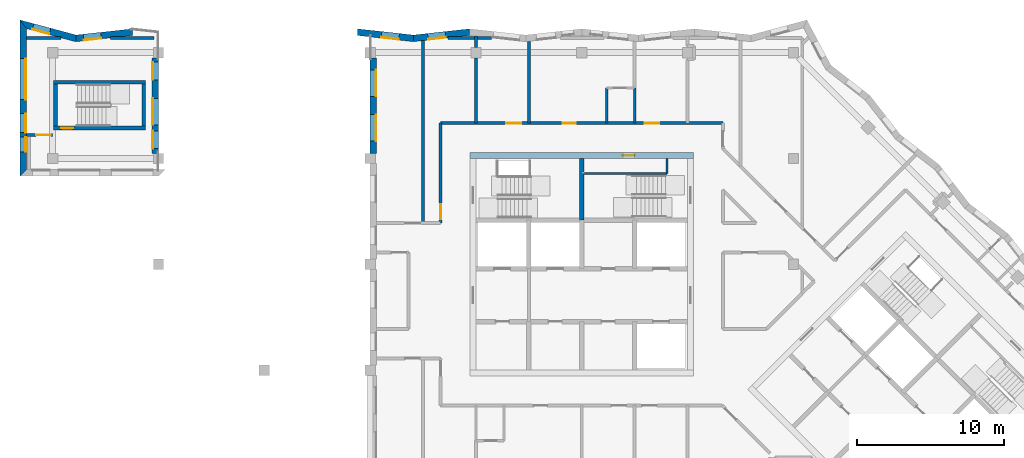
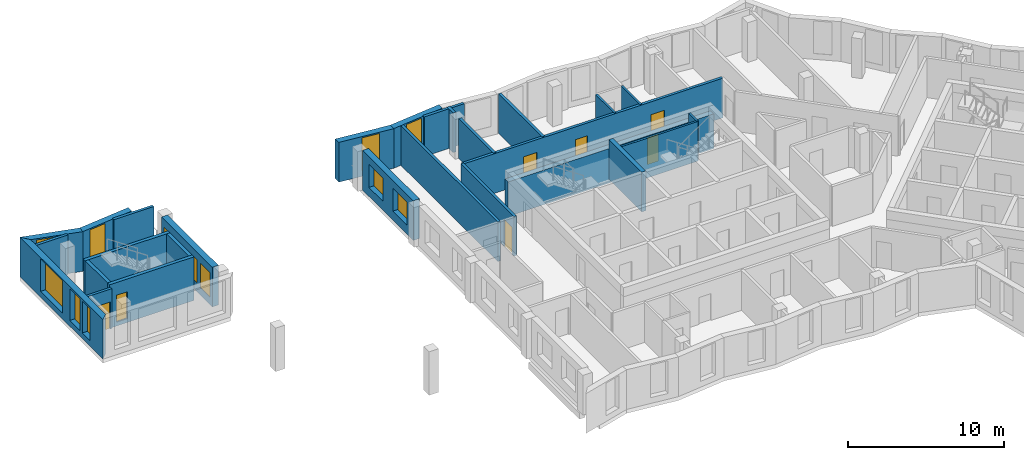
# One storey, part 5 of 12: 27 walls, 12 windows, 7 doors, 19 openings.
"""IFC4 building model written with IfcOpenShell, lengths in metres."""

from ifc_helpers import new_model, si_unit, direction, frame, frame_2d, origin, place, context, subcontext, project, spatial, polyline, rectangle, outline, extrude, material, layer, layer_set, type_object, element, fill, save


model = new_model("IFC4")

# Units and contexts
model_context = context("Model", 3, precision=1e-05, world=origin(), true_north=direction((0.0, 1.0)))
body_context = subcontext(model_context, "Body", "Model", "MODEL_VIEW")
ifc_project = project(units=[si_unit("LENGTHUNIT", "METRE"), si_unit("AREAUNIT", "SQUARE_METRE"), si_unit("VOLUMEUNIT", "CUBIC_METRE"), si_unit("PLANEANGLEUNIT", "RADIAN"), si_unit("MASSUNIT", "GRAM", prefix="KILO")], contexts=[model_context])

# Site, building, storey
site_placement = place(None, origin())
site = spatial("IfcSite", under=ifc_project, at=site_placement, CompositionType="ELEMENT")
building_placement = place(site_placement, origin())
building = spatial("IfcBuilding", under=site, at=building_placement, Name="Windrow Commons", CompositionType="ELEMENT")
storey_placement = place(building_placement, frame((0.0, 0.0, 257.4)))
storey = spatial("IfcBuildingStorey", under=building, at=storey_placement, Name="L70", CompositionType="ELEMENT", Elevation=257.4)

# Wall, opening, window
ifc_material_1 = material(Name="Brick masonry, red clay brick", Category="masonry")
ifc_layer_1 = layer(ifc_material_1, 0.45)
ifc_layer_set_1 = layer_set([ifc_layer_1], Name="Brick facade wall 450")
wall_type_1 = type_object("IfcWallType", Name="Brick facade wall 450", PredefinedType="SOLIDWALL", material=ifc_layer_set_1)
wall_1_placement = place(storey_placement, frame((57.1739, 73.3946, 0.0), z_axis=(0.0, 0.0, 1.0), x_axis=(-0.9939954262, -0.1094216281, 0.0)))
wall_1 = element("IfcWall", 1, at=wall_1_placement, inside=storey, type_object=wall_type_1, Name="Brick facade wall L70 23", PredefinedType="SOLIDWALL", context=body_context, shape_type="SweptSolid", body=[
    extrude(outline(polyline([(-0.0248, -0.225), (3.8227, -0.225), (3.8722, 0.225), (0.0248, 0.225), (-0.0248, -0.225)])), origin(), (0.0, 0.0, 1.0), 3.1),
])
opening_1_placement = place(wall_1_placement, frame((1.6589, 0.0, 0.45)))
opening_1 = element("IfcOpeningElement", 2, at=opening_1_placement, cuts=wall_1, Name="Opening W7F", PredefinedType="OPENING", context=body_context, shape_type="SweptSolid", body=[
    extrude(rectangle(XDim=1.2, YDim=2.55, at=frame_2d((0.6, 1.275))), frame((0.0, 0.235, 0.0), z_axis=(0.0, -1.0, 0.0), x_axis=(1.0, 0.0, 0.0)), (0.0, 0.0, 1.0), 0.47),
])
ifc_material_2 = material(Name="Clear float glass in anodised aluminium frame", Category="aluminium")
window_type_1 = type_object("IfcWindowType", Name="Window W7 notch 1200x2550", PartitioningType="SINGLE_PANEL", PredefinedType="WINDOW", material=ifc_material_2)
window_1_placement = place(opening_1_placement, origin())
window_1 = element("IfcWindow", 3, at=window_1_placement, inside=storey, type_object=window_type_1, Name="Window L70 23.1", OverallHeight=2.55, OverallWidth=1.2, PartitioningType="SINGLE_PANEL", PredefinedType="WINDOW", context=body_context, shape_type="SweptSolid", body=[
    extrude(rectangle(XDim=1.2, YDim=2.55, at=frame_2d((0.6, 1.275))), frame((0.0, 0.205, 0.0), z_axis=(0.0, -1.0, 0.0), x_axis=(1.0, 0.0, 0.0)), (0.0, 0.0, 1.0), 0.06),
])
fill(opening_1, window_1)

wall_2_placement = place(storey_placement, frame((53.3495, 72.9736, 0.0), z_axis=(0.0, 0.0, 1.0), x_axis=(-0.9939954262, 0.1094216281, 0.0)))
wall_2 = element("IfcWall", 4, at=wall_2_placement, inside=storey, type_object=wall_type_1, Name="Brick facade wall L70 24", PredefinedType="SOLIDWALL", context=body_context, shape_type="SweptSolid", body=[
    extrude(outline(polyline([(0.0248, -0.225), (3.8722, -0.225), (3.8227, 0.225), (-0.0248, 0.225), (0.0248, -0.225)])), origin(), (0.0, 0.0, 1.0), 3.1),
])
opening_2_placement = place(wall_2_placement, frame((0.9837, 0.0, 0.45)))
opening_2 = element("IfcOpeningElement", 5, at=opening_2_placement, cuts=wall_2, Name="Opening W7F", PredefinedType="OPENING", context=body_context, shape_type="SweptSolid", body=[
    extrude(rectangle(XDim=1.2, YDim=2.55, at=frame_2d((0.6, 1.275))), frame((0.0, 0.235, 0.0), z_axis=(0.0, -1.0, 0.0), x_axis=(1.0, 0.0, 0.0)), (0.0, 0.0, 1.0), 0.47),
])
window_2_placement = place(opening_2_placement, origin())
window_2 = element("IfcWindow", 6, at=window_2_placement, inside=storey, type_object=window_type_1, Name="Window L70 24.1", OverallHeight=2.55, OverallWidth=1.2, PartitioningType="SINGLE_PANEL", PredefinedType="WINDOW", context=body_context, shape_type="SweptSolid", body=[
    extrude(rectangle(XDim=1.2, YDim=2.55, at=frame_2d((0.6, 1.275))), frame((0.0, 0.205, 0.0), z_axis=(0.0, -1.0, 0.0), x_axis=(1.0, 0.0, 0.0)), (0.0, 0.0, 1.0), 0.06),
])
fill(opening_2, window_2)

wall_3_placement = place(storey_placement, frame((34.2277, 73.3946, 0.0), z_axis=(0.0, 0.0, 1.0), x_axis=(-0.9939952411, -0.1094233099, 0.0)))
wall_3 = element("IfcWall", 7, at=wall_3_placement, inside=storey, type_object=wall_type_1, Name="Brick facade wall L70 29", PredefinedType="SOLIDWALL", context=body_context, shape_type="SweptSolid", body=[
    extrude(outline(polyline([(-0.0248, -0.225), (3.8227, -0.225), (3.907, 0.225), (0.0248, 0.225), (-0.0248, -0.225)])), origin(), (0.0, 0.0, 1.0), 3.1),
])
opening_3_placement = place(wall_3_placement, frame((2.1518, 0.0, 0.45)))
opening_3 = element("IfcOpeningElement", 8, at=opening_3_placement, cuts=wall_3, Name="Opening W7F", PredefinedType="OPENING", context=body_context, shape_type="SweptSolid", body=[
    extrude(rectangle(XDim=1.2, YDim=2.55, at=frame_2d((0.6, 1.275))), frame((0.0, 0.235, 0.0), z_axis=(0.0, -1.0, 0.0), x_axis=(1.0, 0.0, 0.0)), (0.0, 0.0, 1.0), 0.47),
])
window_3_placement = place(opening_3_placement, origin())
window_3 = element("IfcWindow", 9, at=window_3_placement, inside=storey, type_object=window_type_1, Name="Window L70 29.2", OverallHeight=2.55, OverallWidth=1.2, PartitioningType="SINGLE_PANEL", PredefinedType="WINDOW", context=body_context, shape_type="SweptSolid", body=[
    extrude(rectangle(XDim=1.2, YDim=2.55, at=frame_2d((0.6, 1.275))), frame((0.0, 0.205, 0.0), z_axis=(0.0, -1.0, 0.0), x_axis=(1.0, 0.0, 0.0)), (0.0, 0.0, 1.0), 0.06),
])
fill(opening_3, window_3)

wall_4_placement = place(storey_placement, frame((30.3861, 72.9717, 0.0), z_axis=(0.0, 0.0, 1.0), x_axis=(-0.9661561055, 0.257958097, 0.0)))
wall_4 = element("IfcWall", 10, at=wall_4_placement, inside=storey, type_object=wall_type_1, Name="Brick facade wall L70 30", PredefinedType="SOLIDWALL", context=body_context, shape_type="SweptSolid", body=[
    extrude(outline(polyline([(0.0422, -0.225), (4.0005, -0.225), (3.4146, 0.225), (-0.0422, 0.225), (0.0422, -0.225)])), origin(), (0.0, 0.0, 1.0), 3.1),
])
opening_4_placement = place(wall_4_placement, frame((1.8281, 0.0, 0.45)))
opening_4 = element("IfcOpeningElement", 11, at=opening_4_placement, cuts=wall_4, Name="Opening W7F", PredefinedType="OPENING", context=body_context, shape_type="SweptSolid", body=[
    extrude(rectangle(XDim=1.2, YDim=2.55, at=frame_2d((0.6, 1.275))), frame((0.0, 0.235, 0.0), z_axis=(0.0, -1.0, 0.0), x_axis=(1.0, 0.0, 0.0)), (0.0, 0.0, 1.0), 0.47),
])
window_4_placement = place(opening_4_placement, origin())
window_4 = element("IfcWindow", 12, at=window_4_placement, inside=storey, type_object=window_type_1, Name="Window L70 30.2", OverallHeight=2.55, OverallWidth=1.2, PartitioningType="SINGLE_PANEL", PredefinedType="WINDOW", context=body_context, shape_type="SweptSolid", body=[
    extrude(rectangle(XDim=1.2, YDim=2.55, at=frame_2d((0.6, 1.275))), frame((0.0, 0.205, 0.0), z_axis=(0.0, -1.0, 0.0), x_axis=(1.0, 0.0, 0.0)), (0.0, 0.0, 1.0), 0.06),
])
fill(opening_4, window_4)

# Wall, openings, windows
wall_5_placement = place(storey_placement, frame((26.804, 73.9281, 0.0), z_axis=(0.0, 0.0, 1.0), x_axis=(0.0, -1.0, 0.0)))
wall_5 = element("IfcWall", 13, at=wall_5_placement, inside=storey, type_object=wall_type_1, Name="Brick facade wall L70 31", PredefinedType="SOLIDWALL", context=body_context, shape_type="SweptSolid", body=[
    extrude(outline(polyline([(-0.2929, -0.225), (10.3281, -0.225), (9.8781, 0.225), (0.2929, 0.225), (-0.2929, -0.225)])), origin(), (0.0, 0.0, 1.0), 3.1),
])
opening_5_placement = place(wall_5_placement, frame((2.3281, 0.0, 0.45)))
opening_5 = element("IfcOpeningElement", 14, at=opening_5_placement, cuts=wall_5, Name="Opening W1V", PredefinedType="OPENING", context=body_context, shape_type="SweptSolid", body=[
    extrude(rectangle(XDim=2.8, YDim=2.55, at=frame_2d((1.4, 1.275))), frame((0.0, 0.235, 0.0), z_axis=(0.0, -1.0, 0.0), x_axis=(1.0, 0.0, 0.0)), (0.0, 0.0, 1.0), 0.47),
])
opening_6_placement = place(wall_5_placement, frame((6.0781, 0.0, 0.45)))
opening_6 = element("IfcOpeningElement", 15, at=opening_6_placement, cuts=wall_5, Name="Opening W1Q", PredefinedType="OPENING", context=body_context, shape_type="SweptSolid", body=[
    extrude(rectangle(XDim=1.3, YDim=2.5, at=frame_2d((0.65, 1.25))), frame((0.0, 0.235, 0.0), z_axis=(0.0, -1.0, 0.0), x_axis=(1.0, 0.0, 0.0)), (0.0, 0.0, 1.0), 0.47),
])
opening_7_placement = place(wall_5_placement, frame((7.6781, 0.0, 0.45)))
opening_7 = element("IfcOpeningElement", 16, at=opening_7_placement, cuts=wall_5, Name="Opening W1S", PredefinedType="OPENING", context=body_context, shape_type="SweptSolid", body=[
    extrude(rectangle(XDim=1.0, YDim=2.5, at=frame_2d((0.5, 1.25))), frame((0.0, 0.235, 0.0), z_axis=(0.0, -1.0, 0.0), x_axis=(1.0, 0.0, 0.0)), (0.0, 0.0, 1.0), 0.47),
])
ifc_material_3 = material(Name="Clear float glass in anodised aluminium frame", Category="aluminium")
window_type_2 = type_object("IfcWindowType", Name="Window W1Q pair 1300x2500", PartitioningType="SINGLE_PANEL", PredefinedType="WINDOW", material=ifc_material_3)
window_5_placement = place(opening_6_placement, origin())
window_5 = element("IfcWindow", 17, at=window_5_placement, inside=storey, type_object=window_type_2, Name="Window L70 31.2A", OverallHeight=2.5, OverallWidth=1.3, PartitioningType="SINGLE_PANEL", PredefinedType="WINDOW", context=body_context, shape_type="SweptSolid", body=[
    extrude(rectangle(XDim=1.3, YDim=2.5, at=frame_2d((0.65, 1.25))), frame((0.0, 0.205, 0.0), z_axis=(0.0, -1.0, 0.0), x_axis=(1.0, 0.0, 0.0)), (0.0, 0.0, 1.0), 0.06),
])
fill(opening_6, window_5)
ifc_material_4 = material(Name="Clear float glass in anodised aluminium frame", Category="aluminium")
window_type_3 = type_object("IfcWindowType", Name="Window W1S slit 1000x2500", PartitioningType="SINGLE_PANEL", PredefinedType="WINDOW", material=ifc_material_4)
window_6_placement = place(opening_7_placement, origin())
window_6 = element("IfcWindow", 18, at=window_6_placement, inside=storey, type_object=window_type_3, Name="Window L70 31.2B", OverallHeight=2.5, OverallWidth=1.0, PartitioningType="SINGLE_PANEL", PredefinedType="WINDOW", context=body_context, shape_type="SweptSolid", body=[
    extrude(rectangle(XDim=1.0, YDim=2.5, at=frame_2d((0.5, 1.25))), frame((0.0, 0.205, 0.0), z_axis=(0.0, -1.0, 0.0), x_axis=(1.0, 0.0, 0.0)), (0.0, 0.0, 1.0), 0.06),
])
fill(opening_7, window_6)
ifc_material_5 = material(Name="Clear float glass in anodised aluminium frame", Category="aluminium")
window_type_4 = type_object("IfcWindowType", Name="Window W1V bedroom 2800x2550", PartitioningType="SINGLE_PANEL", PredefinedType="WINDOW", material=ifc_material_5)
window_7_placement = place(opening_5_placement, origin())
window_7 = element("IfcWindow", 19, at=window_7_placement, inside=storey, type_object=window_type_4, Name="Window L70 31.1", OverallHeight=2.55, OverallWidth=2.8, PartitioningType="SINGLE_PANEL", PredefinedType="WINDOW", context=body_context, shape_type="SweptSolid", body=[
    extrude(rectangle(XDim=2.8, YDim=2.55, at=frame_2d((1.4, 1.275))), frame((0.0, 0.205, 0.0), z_axis=(0.0, -1.0, 0.0), x_axis=(1.0, 0.0, 0.0)), (0.0, 0.0, 1.0), 0.06),
])
fill(opening_5, window_7)

wall_6_placement = place(storey_placement, frame((35.775, 65.15, 0.0), z_axis=(0.0, 0.0, 1.0), x_axis=(0.0, 1.0, 0.0)))
wall_6 = element("IfcWall", 20, at=wall_6_placement, inside=storey, type_object=wall_type_1, Name="Brick portal return L70 6", PredefinedType="SOLIDWALL", context=body_context, shape_type="SweptSolid", body=[
    extrude(rectangle(XDim=6.5, YDim=0.45, at=frame_2d((3.25, 0.0))), origin(), (0.0, 0.0, 1.0), 3.1),
])
opening_8_placement = place(wall_6_placement, frame((0.325, 0.0, 0.6)))
opening_8 = element("IfcOpeningElement", 21, at=opening_8_placement, cuts=wall_6, Name="Opening W7G", PredefinedType="OPENING", context=body_context, shape_type="SweptSolid", body=[
    extrude(rectangle(XDim=1.2, YDim=1.9, at=frame_2d((0.6, 0.95))), frame((0.0, 0.235, 0.0), z_axis=(0.0, -1.0, 0.0), x_axis=(1.0, 0.0, 0.0)), (0.0, 0.0, 1.0), 0.47),
])
opening_9_placement = place(wall_6_placement, frame((1.9375, 0.0, 0.7)))
opening_9 = element("IfcOpeningElement", 22, at=opening_9_placement, cuts=wall_6, Name="Opening W8", PredefinedType="OPENING", context=body_context, shape_type="SweptSolid", body=[
    extrude(rectangle(XDim=1.8, YDim=1.8, at=frame_2d((0.9, 0.9))), frame((0.0, 0.235, 0.0), z_axis=(0.0, -1.0, 0.0), x_axis=(1.0, 0.0, 0.0)), (0.0, 0.0, 1.0), 0.47),
])
opening_10_placement = place(wall_6_placement, frame((5.0, 0.0, 0.6)))
opening_10 = element("IfcOpeningElement", 23, at=opening_10_placement, cuts=wall_6, Name="Opening W7G", PredefinedType="OPENING", context=body_context, shape_type="SweptSolid", body=[
    extrude(rectangle(XDim=1.2, YDim=1.9, at=frame_2d((0.6, 0.95))), frame((0.0, 0.235, 0.0), z_axis=(0.0, -1.0, 0.0), x_axis=(1.0, 0.0, 0.0)), (0.0, 0.0, 1.0), 0.47),
])
ifc_material_6 = material(Name="Clear float glass in anodised aluminium frame", Category="aluminium")
window_type_5 = type_object("IfcWindowType", Name="Window W7 notch 1200x1900", PartitioningType="SINGLE_PANEL", PredefinedType="WINDOW", material=ifc_material_6)
window_8_placement = place(opening_8_placement, origin())
window_8 = element("IfcWindow", 24, at=window_8_placement, inside=storey, type_object=window_type_5, Name="Window L70 portal 6.1.1A", OverallHeight=1.9, OverallWidth=1.2, PartitioningType="SINGLE_PANEL", PredefinedType="WINDOW", context=body_context, shape_type="SweptSolid", body=[
    extrude(rectangle(XDim=1.2, YDim=1.9, at=frame_2d((0.6, 0.95))), frame((0.0, 0.205, 0.0), z_axis=(0.0, -1.0, 0.0), x_axis=(1.0, 0.0, 0.0)), (0.0, 0.0, 1.0), 0.06),
])
fill(opening_8, window_8)
window_9_placement = place(opening_10_placement, origin())
window_9 = element("IfcWindow", 25, at=window_9_placement, inside=storey, type_object=window_type_5, Name="Window L70 portal 6.1.2A", OverallHeight=1.9, OverallWidth=1.2, PartitioningType="SINGLE_PANEL", PredefinedType="WINDOW", context=body_context, shape_type="SweptSolid", body=[
    extrude(rectangle(XDim=1.2, YDim=1.9, at=frame_2d((0.6, 0.95))), frame((0.0, 0.205, 0.0), z_axis=(0.0, -1.0, 0.0), x_axis=(1.0, 0.0, 0.0)), (0.0, 0.0, 1.0), 0.06),
])
fill(opening_10, window_9)
ifc_material_7 = material(Name="Clear float glass in anodised aluminium frame", Category="aluminium")
window_type_6 = type_object("IfcWindowType", Name="Window W8 portal 1800x1800", PartitioningType="SINGLE_PANEL", PredefinedType="WINDOW", material=ifc_material_7)
window_10_placement = place(opening_9_placement, origin())
window_10 = element("IfcWindow", 26, at=window_10_placement, inside=storey, type_object=window_type_6, Name="Window L70 portal 6.1.1B", OverallHeight=1.8, OverallWidth=1.8, PartitioningType="SINGLE_PANEL", PredefinedType="WINDOW", context=body_context, shape_type="SweptSolid", body=[
    extrude(rectangle(XDim=1.8, YDim=1.8, at=frame_2d((0.9, 0.9))), frame((0.0, 0.205, 0.0), z_axis=(0.0, -1.0, 0.0), x_axis=(1.0, 0.0, 0.0)), (0.0, 0.0, 1.0), 0.06),
])
fill(opening_9, window_10)

wall_7_placement = place(storey_placement, frame((50.625, 71.65, 0.0), z_axis=(0.0, 0.0, 1.0), x_axis=(0.0, -1.0, 0.0)))
wall_7 = element("IfcWall", 27, at=wall_7_placement, inside=storey, type_object=wall_type_1, Name="Brick portal return L70 12", PredefinedType="SOLIDWALL", context=body_context, shape_type="SweptSolid", body=[
    extrude(rectangle(XDim=6.5, YDim=0.45, at=frame_2d((3.25, 0.0))), origin(), (0.0, 0.0, 1.0), 3.1),
])
opening_11_placement = place(wall_7_placement, frame((0.825, 0.0, 0.7)))
opening_11 = element("IfcOpeningElement", 28, at=opening_11_placement, cuts=wall_7, Name="Opening W8", PredefinedType="OPENING", context=body_context, shape_type="SweptSolid", body=[
    extrude(rectangle(XDim=1.8, YDim=1.8, at=frame_2d((0.9, 0.9))), frame((0.0, 0.235, 0.0), z_axis=(0.0, -1.0, 0.0), x_axis=(1.0, 0.0, 0.0)), (0.0, 0.0, 1.0), 0.47),
])
opening_12_placement = place(wall_7_placement, frame((3.875, 0.0, 0.7)))
opening_12 = element("IfcOpeningElement", 29, at=opening_12_placement, cuts=wall_7, Name="Opening W8", PredefinedType="OPENING", context=body_context, shape_type="SweptSolid", body=[
    extrude(rectangle(XDim=1.8, YDim=1.8, at=frame_2d((0.9, 0.9))), frame((0.0, 0.235, 0.0), z_axis=(0.0, -1.0, 0.0), x_axis=(1.0, 0.0, 0.0)), (0.0, 0.0, 1.0), 0.47),
])
window_11_placement = place(opening_11_placement, origin())
window_11 = element("IfcWindow", 30, at=window_11_placement, inside=storey, type_object=window_type_6, Name="Window L70 portal 12.1.1", OverallHeight=1.8, OverallWidth=1.8, PartitioningType="SINGLE_PANEL", PredefinedType="WINDOW", context=body_context, shape_type="SweptSolid", body=[
    extrude(rectangle(XDim=1.8, YDim=1.8, at=frame_2d((0.9, 0.9))), frame((0.0, 0.205, 0.0), z_axis=(0.0, -1.0, 0.0), x_axis=(1.0, 0.0, 0.0)), (0.0, 0.0, 1.0), 0.06),
])
fill(opening_11, window_11)
window_12_placement = place(opening_12_placement, origin())
window_12 = element("IfcWindow", 31, at=window_12_placement, inside=storey, type_object=window_type_6, Name="Window L70 portal 12.1.2", OverallHeight=1.8, OverallWidth=1.8, PartitioningType="SINGLE_PANEL", PredefinedType="WINDOW", context=body_context, shape_type="SweptSolid", body=[
    extrude(rectangle(XDim=1.8, YDim=1.8, at=frame_2d((0.9, 0.9))), frame((0.0, 0.205, 0.0), z_axis=(0.0, -1.0, 0.0), x_axis=(1.0, 0.0, 0.0)), (0.0, 0.0, 1.0), 0.06),
])
fill(opening_12, window_12)

# Wall, openings, doors
ifc_material_8 = material(Name="Blockwork partition", Category="masonry")
ifc_layer_2 = layer(ifc_material_8, 0.2)
ifc_layer_set_2 = layer_set([ifc_layer_2], Name="IW-CORRIDOR-200")
wall_type_2 = type_object("IfcWallType", Name="IW-CORRIDOR-200", PredefinedType="PARTITIONING", material=ifc_layer_set_2)
wall_8_placement = place(storey_placement, frame((55.2, 67.2, 0.0), z_axis=(0.0, 0.0, 1.0), x_axis=(1.0, 0.0, 0.0)))
wall_8 = element("IfcWall", 32, at=wall_8_placement, inside=storey, type_object=wall_type_2, Name="W-L70-W000", PredefinedType="PARTITIONING", context=body_context, shape_type="SweptSolid", body=[
    extrude(rectangle(XDim=19.2, YDim=0.2, at=frame_2d((9.6, 0.0))), origin(), (0.0, 0.0, 1.0), 3.1),
])
opening_13_placement = place(wall_8_placement, frame((4.475, 0.0, 0.0)))
opening_13 = element("IfcOpeningElement", 33, at=opening_13_placement, cuts=wall_8, Name="Opening D310F", PredefinedType="OPENING", context=body_context, shape_type="SweptSolid", body=[
    extrude(rectangle(XDim=1.0, YDim=2.1, at=frame_2d((0.5, 1.05))), frame((0.0, 0.11, 0.0), z_axis=(0.0, -1.0, 0.0), x_axis=(1.0, 0.0, 0.0)), (0.0, 0.0, 1.0), 0.22),
])
opening_14_placement = place(wall_8_placement, frame((8.3006, 0.0, 0.0)))
opening_14 = element("IfcOpeningElement", 34, at=opening_14_placement, cuts=wall_8, Name="Opening D109F", PredefinedType="OPENING", context=body_context, shape_type="SweptSolid", body=[
    extrude(rectangle(XDim=0.9, YDim=2.1, at=frame_2d((0.45, 1.05))), frame((0.0, 0.11, 0.0), z_axis=(0.0, -1.0, 0.0), x_axis=(1.0, 0.0, 0.0)), (0.0, 0.0, 1.0), 0.22),
])
opening_15_placement = place(wall_8_placement, frame((13.88, 0.0, 0.0)))
opening_15 = element("IfcOpeningElement", 35, at=opening_15_placement, cuts=wall_8, Name="Opening D310F", PredefinedType="OPENING", context=body_context, shape_type="SweptSolid", body=[
    extrude(rectangle(XDim=1.0, YDim=2.1, at=frame_2d((0.5, 1.05))), frame((0.0, 0.11, 0.0), z_axis=(0.0, -1.0, 0.0), x_axis=(1.0, 0.0, 0.0)), (0.0, 0.0, 1.0), 0.22),
])
ifc_material_9 = material(Name="Timber door leaf", Category="wood")
door_type_1 = type_object("IfcDoorType", Name="DT-AMENITY-1000", OperationType="SINGLE_SWING_LEFT", PredefinedType="DOOR", material=ifc_material_9)
door_1_placement = place(opening_13_placement, origin())
door_1 = element("IfcDoor", 36, at=door_1_placement, inside=storey, type_object=door_type_1, Name="D-L70-D011", OperationType="SINGLE_SWING_RIGHT", OverallHeight=2.1, OverallWidth=1.0, PredefinedType="DOOR", context=body_context, shape_type="SweptSolid", body=[
    extrude(rectangle(XDim=1.0, YDim=2.1, at=frame_2d((0.5, 1.05))), frame((0.0, 0.025, 0.0), z_axis=(0.0, -1.0, 0.0), x_axis=(1.0, 0.0, 0.0)), (0.0, 0.0, 1.0), 0.05),
])
fill(opening_13, door_1)
door_2_placement = place(opening_15_placement, origin())
door_2 = element("IfcDoor", 37, at=door_2_placement, inside=storey, type_object=door_type_1, Name="D-L70-D014", OperationType="SINGLE_SWING_LEFT", OverallHeight=2.1, OverallWidth=1.0, PredefinedType="DOOR", context=body_context, shape_type="SweptSolid", body=[
    extrude(rectangle(XDim=1.0, YDim=2.1, at=frame_2d((0.5, 1.05))), frame((0.0, 0.025, 0.0), z_axis=(0.0, -1.0, 0.0), x_axis=(1.0, 0.0, 0.0)), (0.0, 0.0, 1.0), 0.05),
])
fill(opening_15, door_2)
ifc_material_10 = material(Name="Timber door leaf", Category="wood")
door_type_2 = type_object("IfcDoorType", Name="DT-BEDROOM-900", OperationType="SINGLE_SWING_LEFT", PredefinedType="DOOR", material=ifc_material_10)
door_3_placement = place(opening_14_placement, origin())
door_3 = element("IfcDoor", 38, at=door_3_placement, inside=storey, type_object=door_type_2, Name="D-L70-D012", OperationType="SINGLE_SWING_LEFT", OverallHeight=2.1, OverallWidth=0.9, PredefinedType="DOOR", context=body_context, shape_type="SweptSolid", body=[
    extrude(rectangle(XDim=0.9, YDim=2.1, at=frame_2d((0.45, 1.05))), frame((0.0, 0.025, 0.0), z_axis=(0.0, -1.0, 0.0), x_axis=(1.0, 0.0, 0.0)), (0.0, 0.0, 1.0), 0.05),
])
fill(opening_14, door_3)

# Wall, opening, door
wall_9_placement = place(storey_placement, frame((55.2, 60.402, 0.0), z_axis=(0.0, 0.0, 1.0), x_axis=(0.0, 1.0, 0.0)))
wall_9 = element("IfcWall", 39, at=wall_9_placement, inside=storey, type_object=wall_type_2, Name="W-L70-W013", PredefinedType="PARTITIONING", context=body_context, shape_type="SweptSolid", body=[
    extrude(rectangle(XDim=6.798, YDim=0.2, at=frame_2d((3.399, 0.0))), origin(), (0.0, 0.0, 1.0), 3.1),
])
opening_16_placement = place(wall_9_placement, frame((0.2687, 0.0, 0.0)))
opening_16 = element("IfcOpeningElement", 40, at=opening_16_placement, cuts=wall_9, Name="Opening D310F", PredefinedType="OPENING", context=body_context, shape_type="SweptSolid", body=[
    extrude(rectangle(XDim=1.0, YDim=2.1, at=frame_2d((0.5, 1.05))), frame((0.0, 0.11, 0.0), z_axis=(0.0, -1.0, 0.0), x_axis=(1.0, 0.0, 0.0)), (0.0, 0.0, 1.0), 0.22),
])
door_4_placement = place(opening_16_placement, origin())
door_4 = element("IfcDoor", 41, at=door_4_placement, inside=storey, type_object=door_type_1, Name="D-L70-D010", OperationType="SINGLE_SWING_LEFT", OverallHeight=2.1, OverallWidth=1.0, PredefinedType="DOOR", context=body_context, shape_type="SweptSolid", body=[
    extrude(rectangle(XDim=1.0, YDim=2.1, at=frame_2d((0.5, 1.05))), frame((0.0, 0.025, 0.0), z_axis=(0.0, -1.0, 0.0), x_axis=(1.0, 0.0, 0.0)), (0.0, 0.0, 1.0), 0.05),
])
fill(opening_16, door_4)

wall_10_placement = place(storey_placement, frame((27.029, 66.4, 0.0), z_axis=(0.0, 0.0, 1.0), x_axis=(1.0, 0.0, 0.0)))
wall_10 = element("IfcWall", 42, at=wall_10_placement, inside=storey, type_object=wall_type_2, Name="W-L70-W071", PredefinedType="PARTITIONING", context=body_context, shape_type="SweptSolid", body=[
    extrude(rectangle(XDim=1.771, YDim=0.2, at=frame_2d((0.8855, 0.0))), origin(), (0.0, 0.0, 1.0), 3.1),
])
opening_17_placement = place(wall_10_placement, frame((0.648, 0.0, 0.0)))
opening_17 = element("IfcOpeningElement", 43, at=opening_17_placement, cuts=wall_10, Name="Opening D310F", PredefinedType="OPENING", context=body_context, shape_type="SweptSolid", body=[
    extrude(rectangle(XDim=1.0, YDim=2.1, at=frame_2d((0.5, 1.05))), frame((0.0, 0.11, 0.0), z_axis=(0.0, -1.0, 0.0), x_axis=(1.0, 0.0, 0.0)), (0.0, 0.0, 1.0), 0.22),
])
door_5_placement = place(opening_17_placement, origin())
door_5 = element("IfcDoor", 44, at=door_5_placement, inside=storey, type_object=door_type_1, Name="D-L70-D017", OperationType="SINGLE_SWING_RIGHT", OverallHeight=2.1, OverallWidth=1.0, PredefinedType="DOOR", context=body_context, shape_type="SweptSolid", body=[
    extrude(rectangle(XDim=1.0, YDim=2.1, at=frame_2d((0.5, 1.05))), frame((0.0, 0.025, 0.0), z_axis=(0.0, -1.0, 0.0), x_axis=(1.0, 0.0, 0.0)), (0.0, 0.0, 1.0), 0.05),
])
fill(opening_17, door_5)

# Walls
ifc_material_11 = material(Name="Blockwork partition", Category="masonry")
ifc_layer_3 = layer(ifc_material_11, 0.15)
ifc_layer_set_3 = layer_set([ifc_layer_3], Name="IW-ENSUITE-150")
wall_type_3 = type_object("IfcWallType", Name="IW-ENSUITE-150", PredefinedType="PARTITIONING", material=ifc_layer_set_3)
for number, where, z_axis, x_axis, name in (
    (45, (66.5, 67.2, 0.0), (0.0, 0.0, 1.0), (0.0, 1.0, 0.0), "W-L70-W051"),
    (46, (68.4, 67.2, 0.0), (0.0, 0.0, 1.0), (0.0, 1.0, 0.0), "W-L70-W052"),
):
    element("IfcWall", number, at=place(storey_placement, frame(where, z_axis=z_axis, x_axis=x_axis)), inside=storey, type_object=wall_type_3, Name=name, PredefinedType="PARTITIONING", context=body_context, shape_type="SweptSolid", body=[
        extrude(rectangle(XDim=2.4, YDim=0.15, at=frame_2d((1.2, 0.0))), origin(), (0.0, 0.0, 1.0), 3.1),
    ])
ifc_material_12 = material(Name="Blockwork partition", Category="masonry")
ifc_layer_4 = layer(ifc_material_12, 0.2)
ifc_layer_set_4 = layer_set([ifc_layer_4], Name="IW-PARTY-200")
wall_type_4 = type_object("IfcWallType", Name="IW-PARTY-200", PredefinedType="PARTITIONING", material=ifc_layer_set_4)
wall_11_placement = place(storey_placement, frame((54.0, 60.4, 0.0), z_axis=(0.0, 0.0, 1.0), x_axis=(0.0, 1.0, 0.0)))
element("IfcWall", 47, at=wall_11_placement, inside=storey, type_object=wall_type_4, Name="W-L70-W004", PredefinedType="PARTITIONING", context=body_context, shape_type="SweptSolid", body=[
    extrude(rectangle(XDim=12.4189, YDim=0.2, at=frame_2d((6.2095, 0.0))), origin(), (0.0, 0.0, 1.0), 3.1),
])
wall_12_placement = place(storey_placement, frame((61.2, 67.2, 0.0), z_axis=(0.0, 0.0, 1.0), x_axis=(0.0, 1.0, 0.0)))
element("IfcWall", 48, at=wall_12_placement, inside=storey, type_object=wall_type_4, Name="W-L70-W017", PredefinedType="PARTITIONING", context=body_context, shape_type="SweptSolid", body=[
    extrude(rectangle(XDim=5.5695, YDim=0.2, at=frame_2d((2.7847, 0.0))), origin(), (0.0, 0.0, 1.0), 3.1),
])
wall_13_placement = place(storey_placement, frame((57.6, 67.2, 0.0), z_axis=(0.0, 0.0, 1.0), x_axis=(0.0, 1.0, 0.0)))
element("IfcWall", 49, at=wall_13_placement, inside=storey, type_object=wall_type_4, Name="W-L70-W024", PredefinedType="PARTITIONING", context=body_context, shape_type="SweptSolid", body=[
    extrude(rectangle(XDim=4.45, YDim=0.2, at=frame_2d((2.225, 0.0))), origin(), (0.0, 0.0, 1.0), 3.1),
])
wall_14_placement = place(storey_placement, frame((32.749, 73.0, 0.0), z_axis=(0.0, 0.0, 1.0), x_axis=(1.0, 0.0, 0.0)))
element("IfcWall", 50, at=wall_14_placement, inside=storey, type_object=wall_type_4, Name="W-L70-W042", PredefinedType="PARTITIONING", context=body_context, shape_type="SweptSolid", body=[
    extrude(rectangle(XDim=2.9574, YDim=0.2, at=frame_2d((1.4787, 0.0))), origin(), (0.0, 0.0, 1.0), 3.1),
])
wall_15_placement = place(storey_placement, frame((55.6952, 73.0, 0.0), z_axis=(0.0, 0.0, 1.0), x_axis=(1.0, 0.0, 0.0)))
element("IfcWall", 51, at=wall_15_placement, inside=storey, type_object=wall_type_4, Name="W-L70-W043", PredefinedType="PARTITIONING", context=body_context, shape_type="SweptSolid", body=[
    extrude(rectangle(XDim=2.9573, YDim=0.2, at=frame_2d((1.4787, 0.0))), origin(), (0.0, 0.0, 1.0), 3.1),
])
wall_16_placement = place(storey_placement, frame((27.029, 73.0, 0.0), z_axis=(0.0, 0.0, 1.0), x_axis=(1.0, 0.0, 0.0)))
element("IfcWall", 52, at=wall_16_placement, inside=storey, type_object=wall_type_4, Name="W-L70-W056", PredefinedType="PARTITIONING", context=body_context, shape_type="SweptSolid", body=[
    extrude(rectangle(XDim=2.3289, YDim=0.2, at=frame_2d((1.1644, 0.0))), origin(), (0.0, 0.0, 1.0), 3.1),
])
wall_17_placement = place(storey_placement, frame((57.6, 72.35, 0.0), z_axis=(0.0, 0.0, 1.0), x_axis=(0.0, 1.0, 0.0)))
element("IfcWall", 53, at=wall_17_placement, inside=storey, type_object=wall_type_4, Name="W-L70-W080", PredefinedType="PARTITIONING", context=body_context, shape_type="SweptSolid", body=[
    extrude(rectangle(XDim=0.7714, YDim=0.2, at=frame_2d((0.3857, 0.0))), origin(), (0.0, 0.0, 1.0), 3.1),
])

# Wall, opening, door
ifc_material_13 = material(Name="Concrete C40/50", Category="concrete")
ifc_layer_5 = layer(ifc_material_13, 0.4)
ifc_layer_set_5 = layer_set([ifc_layer_5], Name="RC CORE WALL 400 C40/50")
wall_type_5 = type_object("IfcWallType", Name="RC CORE WALL 400 C40/50", PredefinedType="SHEAR", material=ifc_layer_set_5)
wall_18_placement = place(storey_placement, frame((57.2, 65.0, -0.3), z_axis=(0.0, 0.0, 1.0), x_axis=(1.0, 0.0, 0.0)))
wall_18 = element("IfcWall", 54, at=wall_18_placement, inside=storey, type_object=wall_type_5, Name="Core A wall outer-N", PredefinedType="SHEAR", context=body_context, shape_type="SweptSolid", body=[
    extrude(rectangle(XDim=15.2, YDim=0.4, at=frame_2d((7.6, 0.0))), origin(), (0.0, 0.0, 1.0), 2.7),
])
opening_18_placement = place(wall_18_placement, frame((10.4, 0.0, 0.3)))
opening_18 = element("IfcOpeningElement", 55, at=opening_18_placement, cuts=wall_18, Name="Opening D9", PredefinedType="OPENING", context=body_context, shape_type="SweptSolid", body=[
    extrude(rectangle(XDim=0.8, YDim=2.1, at=frame_2d((0.4, 1.05))), frame((0.0, 0.21, 0.0), z_axis=(0.0, -1.0, 0.0), x_axis=(1.0, 0.0, 0.0)), (0.0, 0.0, 1.0), 0.42),
])
ifc_material_14 = material(Name="Steel fire door leaf", Category="steel")
door_type_3 = type_object("IfcDoorType", Name="Riser access door 800", OperationType="SINGLE_SWING_LEFT", PredefinedType="DOOR", material=ifc_material_14)
door_6_placement = place(opening_18_placement, origin())
door_6 = element("IfcDoor", 56, at=door_6_placement, inside=storey, type_object=door_type_3, Name="Riser access door", OperationType="SINGLE_SWING_RIGHT", OverallHeight=2.1, OverallWidth=0.8, PredefinedType="DOOR", context=body_context, shape_type="SweptSolid", body=[
    extrude(rectangle(XDim=0.8, YDim=2.1, at=frame_2d((0.4, 1.05))), frame((0.0, 0.025, 0.0), z_axis=(0.0, -1.0, 0.0), x_axis=(1.0, 0.0, 0.0)), (0.0, 0.0, 1.0), 0.05),
])
fill(opening_18, door_6)

ifc_material_15 = material(Name="Concrete C40/50", Category="concrete")
ifc_layer_6 = layer(ifc_material_15, 0.25)
ifc_layer_set_6 = layer_set([ifc_layer_6], Name="RC SHAFT WALL 250 C40/50")
wall_type_6 = type_object("IfcWallType", Name="RC SHAFT WALL 250 C40/50", PredefinedType="SOLIDWALL", material=ifc_layer_set_6)
wall_19_placement = place(storey_placement, frame((28.875, 66.875, -0.3), z_axis=(0.0, 0.0, 1.0), x_axis=(1.0, 0.0, 0.0)))
wall_19 = element("IfcWall", 57, at=wall_19_placement, inside=storey, type_object=wall_type_6, Name="Stair enclosure wall L70 S", PredefinedType="SOLIDWALL", context=body_context, shape_type="SweptSolid", body=[
    extrude(rectangle(XDim=6.25, YDim=0.25, at=frame_2d((3.125, 0.0))), origin(), (0.0, 0.0, 1.0), 3.4),
])
opening_19_placement = place(wall_19_placement, frame((0.525, 0.0, 0.3)))
opening_19 = element("IfcOpeningElement", 58, at=opening_19_placement, cuts=wall_19, Name="Opening D23", PredefinedType="OPENING", context=body_context, shape_type="SweptSolid", body=[
    extrude(rectangle(XDim=0.8, YDim=2.1, at=frame_2d((0.4, 1.05))), frame((0.0, 0.135, 0.0), z_axis=(0.0, -1.0, 0.0), x_axis=(1.0, 0.0, 0.0)), (0.0, 0.0, 1.0), 0.27),
])
ifc_material_16 = material(Name="Steel fire door leaf", Category="steel")
door_type_4 = type_object("IfcDoorType", Name="Stair door 800", OperationType="SINGLE_SWING_LEFT", PredefinedType="DOOR", material=ifc_material_16)
door_7_placement = place(opening_19_placement, origin())
door_7 = element("IfcDoor", 59, at=door_7_placement, inside=storey, type_object=door_type_4, Name="Stair door", OperationType="SINGLE_SWING_LEFT", OverallHeight=2.1, OverallWidth=0.8, PredefinedType="DOOR", context=body_context, shape_type="SweptSolid", body=[
    extrude(rectangle(XDim=0.8, YDim=2.1, at=frame_2d((0.4, 1.05))), frame((0.0, 0.025, 0.0), z_axis=(0.0, -1.0, 0.0), x_axis=(1.0, 0.0, 0.0)), (0.0, 0.0, 1.0), 0.05),
])
fill(opening_19, door_7)

# Walls
wall_20_placement = place(storey_placement, frame((28.875, 69.975, -0.3), z_axis=(0.0, 0.0, 1.0), x_axis=(1.0, 0.0, 0.0)))
element("IfcWall", 60, at=wall_20_placement, inside=storey, type_object=wall_type_6, Name="Stair enclosure wall L70 N", PredefinedType="SOLIDWALL", context=body_context, shape_type="SweptSolid", body=[
    extrude(rectangle(XDim=6.25, YDim=0.25, at=frame_2d((3.125, 0.0))), origin(), (0.0, 0.0, 1.0), 3.4),
])
for number, where, z_axis, x_axis, name in (
    (61, (29.0, 67.0, -0.3), (0.0, 0.0, 1.0), (0.0, 1.0, 0.0), "Stair enclosure wall L70 W"),
    (62, (35.0, 67.0, -0.3), (0.0, 0.0, 1.0), (0.0, 1.0, 0.0), "Stair enclosure wall L70 E"),
):
    element("IfcWall", number, at=place(storey_placement, frame(where, z_axis=z_axis, x_axis=x_axis)), inside=storey, type_object=wall_type_6, Name=name, PredefinedType="SOLIDWALL", context=body_context, shape_type="SweptSolid", body=[
        extrude(rectangle(XDim=2.85, YDim=0.25, at=frame_2d((1.425, 0.0))), origin(), (0.0, 0.0, 1.0), 3.4),
    ])
ifc_material_17 = material(Name="Concrete C40/50", Category="concrete")
ifc_layer_7 = layer(ifc_material_17, 0.3)
ifc_layer_set_7 = layer_set([ifc_layer_7], Name="RC SHAFT WALL 300 C40/50")
wall_type_7 = type_object("IfcWallType", Name="RC SHAFT WALL 300 C40/50", PredefinedType="SOLIDWALL", material=ifc_layer_set_7)
wall_21_placement = place(storey_placement, frame((64.8, 60.6, 0.0), z_axis=(0.0, 0.0, 1.0), x_axis=(0.0, 1.0, 0.0)))
element("IfcWall", 63, at=wall_21_placement, inside=storey, type_object=wall_type_7, Name="Core A wall stair-mid", PredefinedType="SOLIDWALL", context=body_context, shape_type="SweptSolid", body=[
    extrude(rectangle(XDim=4.2, YDim=0.3, at=frame_2d((2.1, 0.0))), origin(), (0.0, 0.0, 1.0), 3.1),
])
ifc_material_18 = material(Name="Blockwork partition", Category="masonry")
ifc_layer_8 = layer(ifc_material_18, 0.15)
ifc_layer_set_8 = layer_set([ifc_layer_8], Name="Riser partition 150")
wall_type_8 = type_object("IfcWallType", Name="Riser partition 150", PredefinedType="PARTITIONING", material=ifc_layer_set_8)
wall_22_placement = place(storey_placement, frame((64.95, 63.78, 0.0), z_axis=(0.0, 0.0, 1.0), x_axis=(1.0, 0.0, 0.0)))
element("IfcWall", 64, at=wall_22_placement, inside=storey, type_object=wall_type_8, Name="W-core-strip-A-L70", PredefinedType="PARTITIONING", context=body_context, shape_type="SweptSolid", body=[
    extrude(rectangle(XDim=5.65, YDim=0.15, at=frame_2d((2.825, 0.0))), origin(), (0.0, 0.0, 1.0), 3.1),
])
wall_23_placement = place(storey_placement, frame((70.6, 63.78, 0.0), z_axis=(0.0, 0.0, 1.0), x_axis=(0.0, 1.0, 0.0)))
element("IfcWall", 65, at=wall_23_placement, inside=storey, type_object=wall_type_8, Name="W-core-stripx-A-L70-1", PredefinedType="PARTITIONING", context=body_context, shape_type="SweptSolid", body=[
    extrude(rectangle(XDim=1.02, YDim=0.15, at=frame_2d((0.51, 0.0))), origin(), (0.0, 0.0, 1.0), 3.1),
])

save(model, "model.ifc")
